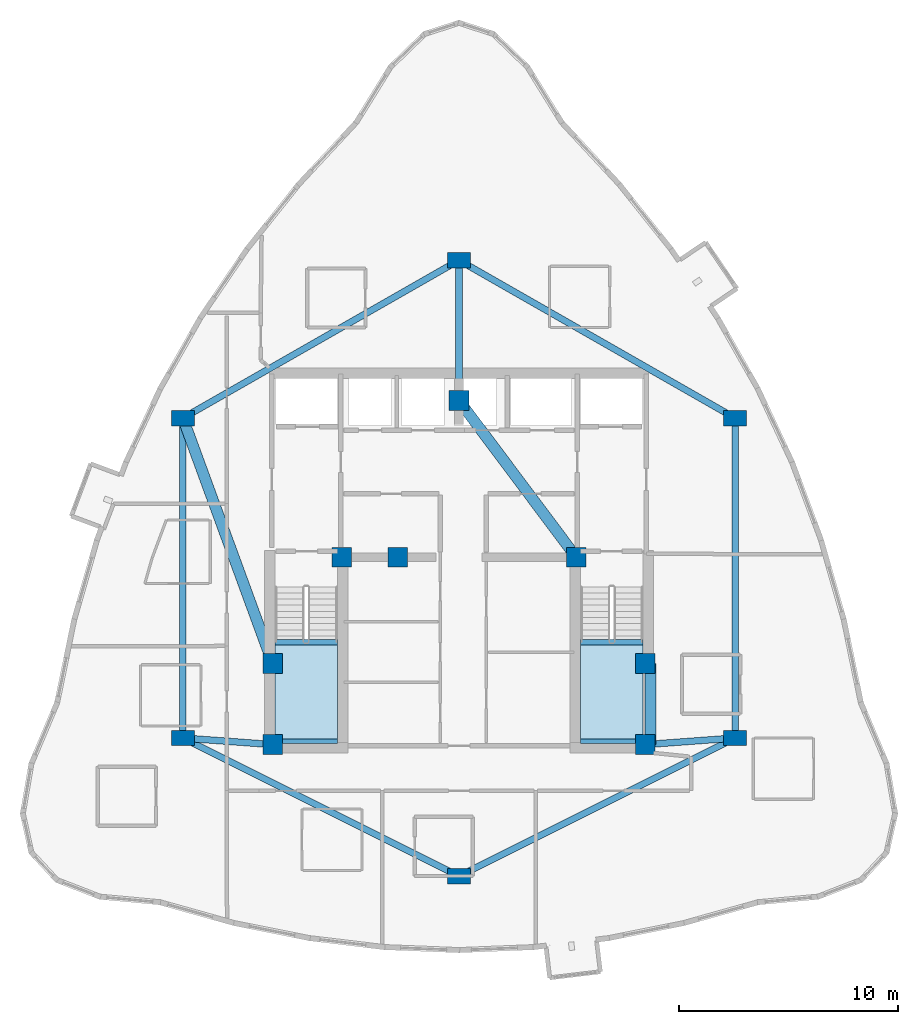
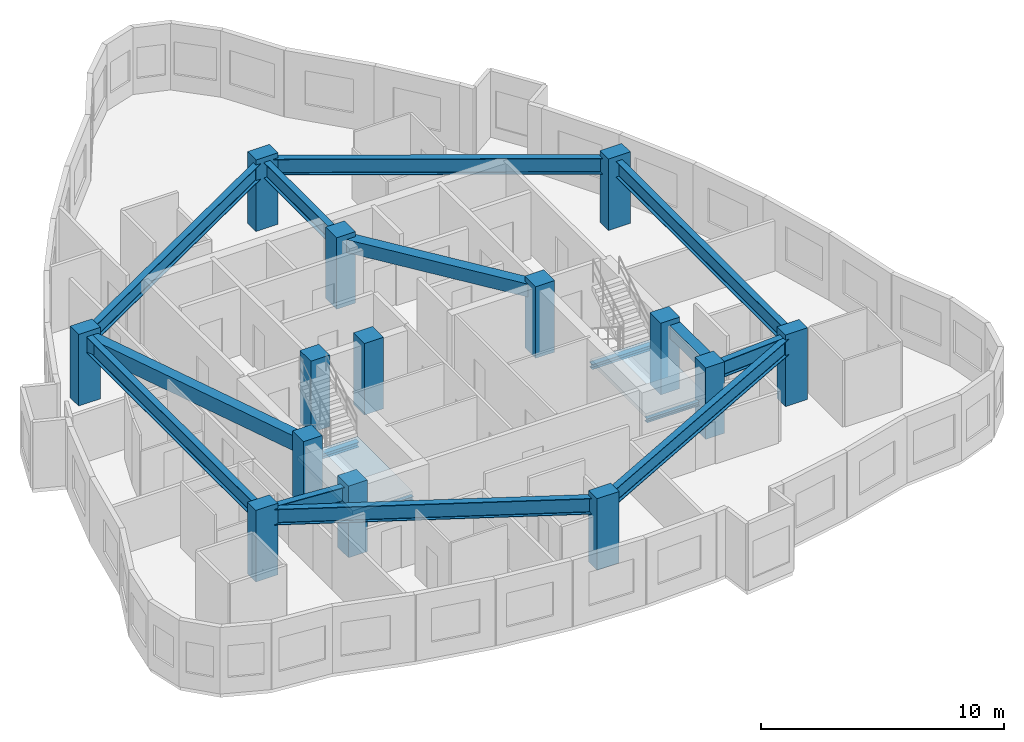
# One storey, part 1 of 9: 16 beams, 14 columns, 2 slabs, 2 elements without a shape of their own.
"""IFC4 building model written with IfcOpenShell, lengths in metres."""

import ifcopenshell
import ifcopenshell.guid

model = None  # the IFC model being written
_history = None  # IfcOwnerHistory: only IFC2X3 demands one
_inside = {}  # id of a spatial element -> (the spatial element, [elements in it])
_under = {}  # id of a project, library or spatial element -> (it, [spatial elements below it])
_declared = {}  # id of a project -> (the project, [libraries it declares])
_typed = {}  # id of a type object -> (the type object, [elements of that type])
_made_of = {}  # id of a material, layer set ... -> (it, [elements and type objects made of it])


def new_model(schema):
    """Start an empty IFC model of exactly this schema.

    Asked for "IFC4X3", IfcOpenShell would pick the latest addendum, in which some entities
    have other attributes; the version numbers below select the first issue.
    IFC2X3 requires an IfcOwnerHistory on every rooted entity: one is made here for all.
    """
    global model, _history
    if schema == "IFC4X3":
        model = ifcopenshell.file(schema_version=(4, 3, 0, 0))
    else:
        model = ifcopenshell.file(schema=schema)
    _inside.clear()
    _under.clear()
    _declared.clear()
    _typed.clear()
    _made_of.clear()
    _history = None
    if model.schema == "IFC2X3":
        org = make("IfcOrganization", Name="unknown")
        user = make(
            "IfcPersonAndOrganization",
            ThePerson=make("IfcPerson", FamilyName="unknown"),
            TheOrganization=org,
        )
        app = make(
            "IfcApplication",
            ApplicationDeveloper=org,
            Version="unknown",
            ApplicationFullName="unknown",
            ApplicationIdentifier="unknown",
        )
        _history = make(
            "IfcOwnerHistory",
            OwningUser=user,
            OwningApplication=app,
            ChangeAction="ADDED",
            CreationDate=0,
        )
    return model


def make(cls, **values):
    """One entity of the class cls with the attributes given. An attribute that is None is left unset."""
    return model.create_entity(
        cls, **{name: value for name, value in values.items() if value is not None}
    )


def rooted(cls, **values):
    """An entity with a GlobalId (a new one), such as an element, a storey or a relation."""
    return make(cls, GlobalId=ifcopenshell.guid.new(), OwnerHistory=_history, **values)


def si_unit(unit_type, name, prefix=None):
    """IfcSIUnit, for example si_unit("LENGTHUNIT", "METRE", prefix="MILLI")."""
    return make("IfcSIUnit", UnitType=unit_type, Prefix=prefix, Name=name)


def assignment(units):
    """IfcUnitAssignment: the units of a project."""
    return None if units is None else make("IfcUnitAssignment", Units=units)


def point(xyz):
    """IfcCartesianPoint."""
    return None if xyz is None else make("IfcCartesianPoint", Coordinates=xyz)


def direction(xyz):
    """IfcDirection."""
    return None if xyz is None else make("IfcDirection", DirectionRatios=xyz)


def frame(location, z_axis=None, x_axis=None):
    """IfcAxis2Placement3D, a coordinate frame: its origin and axes. An axis left out is left unset."""
    return make(
        "IfcAxis2Placement3D",
        Location=point(location),
        Axis=direction(z_axis),
        RefDirection=direction(x_axis),
    )


def frame_2d(location, x_axis=None):
    """IfcAxis2Placement2D, a coordinate frame in the plane: its origin and x axis."""
    return make(
        "IfcAxis2Placement2D", Location=point(location), RefDirection=direction(x_axis)
    )


def origin():
    """The frame at (0, 0, 0) with its axes left unset."""
    return frame((0.0, 0.0, 0.0))


def origin_2d():
    """The frame at (0, 0) in the plane with its x axis left unset."""
    return frame_2d((0.0, 0.0))


def place(relative_to, where):
    """IfcLocalPlacement: puts the frame where relative to a parent placement (None: the world)."""
    return make(
        "IfcLocalPlacement", PlacementRelTo=relative_to, RelativePlacement=where
    )


def context(
    kind, dimensions, precision=None, world=None, true_north=None, identifier=None
):
    """IfcGeometricRepresentationContext, for example the 3D "Model" context."""
    return make(
        "IfcGeometricRepresentationContext",
        ContextIdentifier=identifier,
        ContextType=kind,
        CoordinateSpaceDimension=dimensions,
        Precision=precision,
        WorldCoordinateSystem=world,
        TrueNorth=true_north,
    )


def subcontext(parent, identifier, kind, view, scale=None):
    """IfcGeometricRepresentationSubContext, for example "Body" below "Model"."""
    return make(
        "IfcGeometricRepresentationSubContext",
        ContextIdentifier=identifier,
        ContextType=kind,
        ParentContext=parent,
        TargetScale=scale,
        TargetView=view,
    )


def project(units=None, contexts=None):
    """IfcProject with its units and contexts."""
    return rooted(
        "IfcProject",
        Name="project",
        RepresentationContexts=contexts,
        UnitsInContext=assignment(units),
    )


def spatial(cls, under=None, at=None, **own):
    """A site, building, storey or space (cls), placed at a placement, below another one or the project."""
    s = rooted(cls, ObjectPlacement=at, **own)
    if under is not None:
        _under.setdefault(under.id(), (under, []))[1].append(s)
    return s


def polyline(points):
    """IfcPolyline through the points."""
    return make("IfcPolyline", Points=[point(p) for p in points])


def profile(cls, at=None, kind="AREA", **sizes):
    """A parametric profile (cls). Its sizes go by their IFC names, for example OverallWidth=200.0."""
    return make(cls, ProfileType=kind, Position=at, **sizes)


def rectangle(**sizes):
    """IfcRectangleProfileDef."""
    return profile("IfcRectangleProfileDef", **sizes)


def i_section(**sizes):
    """IfcIShapeProfileDef."""
    return profile("IfcIShapeProfileDef", **sizes)


def outline(outer, holes=None, kind="AREA"):
    """IfcArbitraryClosedProfileDef: a profile drawn as a closed curve; with holes, ...WithVoids."""
    if holes is None:
        return make("IfcArbitraryClosedProfileDef", ProfileType=kind, OuterCurve=outer)
    return make(
        "IfcArbitraryProfileDefWithVoids",
        ProfileType=kind,
        OuterCurve=outer,
        InnerCurves=holes,
    )


def extrude(swept, where, along, depth):
    """IfcExtrudedAreaSolid: the profile swept, set in the frame where, extruded along a direction by depth."""
    return make(
        "IfcExtrudedAreaSolid",
        SweptArea=swept,
        Position=where,
        ExtrudedDirection=direction(along),
        Depth=depth,
    )


def shape(context_of_items, identifier, shape_type, items):
    """IfcShapeRepresentation: the items that make up one representation, for example the "Body"."""
    return make(
        "IfcShapeRepresentation",
        ContextOfItems=context_of_items,
        RepresentationIdentifier=identifier,
        RepresentationType=shape_type,
        Items=items,
    )


def material(Name=None, Category=None):
    """IfcMaterial."""
    return make("IfcMaterial", Name=Name, Category=Category)


def layer(
    of_material, thickness, ventilated=None, Name=None, Category=None, Priority=None
):
    """IfcMaterialLayer: one layer of a wall or slab, of a material (None: an air gap)."""
    return make(
        "IfcMaterialLayer",
        Material=of_material,
        LayerThickness=thickness,
        IsVentilated=ventilated,
        Name=Name,
        Category=Category,
        Priority=Priority,
    )


def layer_set(layers, Name=None):
    """IfcMaterialLayerSet."""
    return make("IfcMaterialLayerSet", MaterialLayers=layers, LayerSetName=Name)


def material_profile(
    of_material, cross_section, Name=None, Category=None, Priority=None
):
    """IfcMaterialProfile: a cross section and its material."""
    return make(
        "IfcMaterialProfile",
        Name=Name,
        Material=of_material,
        Profile=cross_section,
        Priority=Priority,
        Category=Category,
    )


def profile_set(profiles, Name=None, composite=None):
    """IfcMaterialProfileSet."""
    return make(
        "IfcMaterialProfileSet",
        Name=Name,
        MaterialProfiles=profiles,
        CompositeProfile=composite,
    )


def made_of(thing, what):
    """Note that an element or type object is made of a material, layer set ...; save() writes the relation."""
    if what is not None:
        _made_of.setdefault(what.id(), (what, []))[1].append(thing)
    return thing


def type_object(cls, material=None, **own):
    """A type object (cls), such as IfcWallType, which elements share."""
    return made_of(rooted(cls, **own), material)


def element(
    cls,
    number,
    at=None,
    inside=None,
    cuts=None,
    type_object=None,
    material=None,
    context=None,
    identifier="Body",
    shape_type=None,
    held_by="IfcProductDefinitionShape",
    body=None,
    shapes=None,
    **own,
):
    """One element of the class cls, such as IfcWall. Its Tag is "e" and its number.

    at: its placement. inside: the storey or other place that contains it. cuts: it is an
    opening in that element (IfcRelVoidsElement). A single representation is given by context,
    identifier, shape_type and body (its items); several are given by shapes. held_by: the class
    of the entity that holds the representations. save() writes the other relations.
    """
    e = rooted(cls, Tag="e%d" % number, ObjectPlacement=at, **own)
    if body is not None:
        shapes = [shape(context, identifier, shape_type, body)]
    if shapes is not None:
        e.Representation = make(held_by, Representations=shapes)
    if inside is not None:
        _inside.setdefault(inside.id(), (inside, []))[1].append(e)
    if cuts is not None:
        rooted(
            "IfcRelVoidsElement", RelatingBuildingElement=cuts, RelatedOpeningElement=e
        )
    if type_object is not None:
        _typed.setdefault(type_object.id(), (type_object, []))[1].append(e)
    return made_of(e, material)


def aggregate(whole, parts):
    """IfcRelAggregates: a whole, such as a stair, and the parts it consists of."""
    return rooted("IfcRelAggregates", RelatingObject=whole, RelatedObjects=parts)


def save(model, path):
    """Write the relations noted so far, then the file.

    IfcRelAggregates (storeys below a building ...), IfcRelContainedInSpatialStructure (elements
    in a storey), IfcRelDefinesByType, IfcRelAssociatesMaterial and IfcRelDeclares: one each for
    every whole, place, type object, material and project.
    """
    for whole, parts in _under.values():
        aggregate(whole, parts)
    for where, things in _inside.values():
        rooted(
            "IfcRelContainedInSpatialStructure",
            RelatedElements=things,
            RelatingStructure=where,
        )
    for kind, things in _typed.values():
        rooted("IfcRelDefinesByType", RelatedObjects=things, RelatingType=kind)
    for what, things in _made_of.values():
        rooted("IfcRelAssociatesMaterial", RelatedObjects=things, RelatingMaterial=what)
    for by, libraries in _declared.values():
        rooted("IfcRelDeclares", RelatingContext=by, RelatedDefinitions=libraries)
    model.write(path)


model = new_model("IFC4")

# Units and contexts
model_context = context("Model", 3, precision=1e-05, world=origin(), true_north=direction((0.0, 1.0)))
body_context = subcontext(model_context, "Body", "Model", "MODEL_VIEW")
ifc_project = project(units=[si_unit("LENGTHUNIT", "METRE"), si_unit("AREAUNIT", "SQUARE_METRE"), si_unit("VOLUMEUNIT", "CUBIC_METRE"), si_unit("PLANEANGLEUNIT", "RADIAN"), si_unit("MASSUNIT", "GRAM", prefix="KILO")], contexts=[model_context])

# Site, building, storey
site_placement = place(None, origin())
site = spatial("IfcSite", under=ifc_project, at=site_placement, CompositionType="ELEMENT")
building_placement = place(site_placement, origin())
building = spatial("IfcBuilding", under=site, at=building_placement, Name="Miruveldt Soraemaru", CompositionType="ELEMENT")
storey_placement = place(building_placement, frame((0.0, 0.0, 244.800048828125)))
storey = spatial("IfcBuildingStorey", under=building, at=storey_placement, Name="L67", CompositionType="ELEMENT", Elevation=244.800048828125)

# Columns
ifc_material_1 = material(Name="Concrete C50/60 (50 MPa)", Category="concrete")
ifc_material_profile_1 = material_profile(ifc_material_1, rectangle(XDim=0.89990234375, YDim=0.89990234375, at=origin_2d()), Name="Concrete C50/60 (50 MPa)", Category="concrete")
ifc_profile_set_1 = profile_set([ifc_material_profile_1], Name="Concrete C50/60 (50 MPa)")
column_type_1 = type_object("IfcColumnType", Name="COL-CORE-900", PredefinedType="COLUMN", material=ifc_profile_set_1)
for number, where, z_axis, x_axis, name in (
    (1, (35.5, 35.5, 0.0), (0.0, 0.0, 1.0), (1.0, 0.0, 0.0), "L67 Structural Column CC1"),
    (2, (38.64990234375, 44.050048828125, 0.0), (0.0, 0.0, 1.0), (1.0, 0.0, 0.0), "L67 Structural Column CC2"),
    (3, (52.5, 35.5, 0.0), (0.0, 0.0, 1.0), (1.0, 0.0, 0.0), "L67 Structural Column CC3"),
    (4, (52.5, 39.199951171875, 0.0), (0.0, 0.0, 1.0), (1.0, 0.0, 0.0), "L67 Structural Column CC4"),
    (5, (49.35009765625, 44.050048828125, 0.0), (0.0, 0.0, 1.0), (1.0, 0.0, 0.0), "L67 Structural Column CC5"),
    (6, (44.0, 51.199951171875, 0.0), (0.0, 0.0, 1.0), (1.0, 0.0, 0.0), "L67 Structural Column CC6"),
    (7, (35.5, 39.199951171875, 0.0), (0.0, 0.0, 1.0), (1.0, 0.0, 0.0), "L67 Structural Column CC7"),
    (8, (41.199951171875, 44.050048828125, 0.0), (0.0, 0.0, 1.0), (1.0, 0.0, 0.0), "L67 Structural Column CC8"),
):
    element("IfcColumn", number, at=place(storey_placement, frame(where, z_axis=z_axis, x_axis=x_axis)), inside=storey, type_object=column_type_1, Name=name, PredefinedType="COLUMN", context=body_context, shape_type="SweptSolid", body=[
        extrude(rectangle(XDim=0.89990234375, YDim=0.89990234375, at=origin_2d()), origin(), (0.0, 0.0, 1.0), 3.599853515625),
    ])
ifc_material_2 = material(Name="Concrete C60/75 (60 MPa)", Category="concrete")
ifc_material_profile_2 = material_profile(ifc_material_2, rectangle(XDim=1.050048828125, YDim=0.699951171875, at=origin_2d()), Name="Concrete C60/75 (60 MPa)", Category="concrete")
ifc_profile_set_2 = profile_set([ifc_material_profile_2], Name="Concrete C60/75 (60 MPa)")
column_type_2 = type_object("IfcColumnType", Name="COL-TW-Z3", PredefinedType="COLUMN", material=ifc_profile_set_2)
for number, where, z_axis, x_axis, name in (
    (9, (44.0, 57.60009765625, 0.0), (0.0, 0.0, 1.0), (1.0, 0.0, 0.0), "L67 Structural Column IR01"),
    (10, (56.60009765625, 50.39990234375, 0.0), (0.0, 0.0, 1.0), (1.0, 0.0, 0.0), "L67 Structural Column IR02"),
    (11, (56.60009765625, 35.800048828125, 0.0), (0.0, 0.0, 1.0), (1.0, 0.0, 0.0), "L67 Structural Column IR03"),
    (12, (44.0, 29.5, 0.0), (0.0, 0.0, 1.0), (1.0, 0.0, 0.0), "L67 Structural Column IR04"),
    (13, (31.39990234375, 35.800048828125, 0.0), (0.0, 0.0, 1.0), (1.0, 0.0, 0.0), "L67 Structural Column IR05"),
    (14, (31.39990234375, 50.39990234375, 0.0), (0.0, 0.0, 1.0), (1.0, 0.0, 0.0), "L67 Structural Column IR06"),
):
    element("IfcColumn", number, at=place(storey_placement, frame(where, z_axis=z_axis, x_axis=x_axis)), inside=storey, type_object=column_type_2, Name=name, PredefinedType="COLUMN", context=body_context, shape_type="SweptSolid", body=[
        extrude(rectangle(XDim=1.050048828125, YDim=0.699951171875, at=origin_2d()), origin(), (0.0, 0.0, 1.0), 3.599853515625),
    ])

# Beams
ifc_material_profile_3 = material_profile(ifc_material_1, rectangle(XDim=0.5, YDim=0.64990234375, at=origin_2d()), Name="Concrete C50/60 (50 MPa)", Category="concrete")
ifc_profile_set_3 = profile_set([ifc_material_profile_3], Name="Concrete C50/60 (50 MPa)")
beam_type_1 = type_object("IfcBeamType", Name="BM-RC-500x650", PredefinedType="BEAM", material=ifc_profile_set_3)
beam_1_placement = place(storey_placement, frame((52.72998046875, 35.5, 3.02001953125), z_axis=(0.0, 1.0, 0.0), x_axis=(-1.0, 0.0, 0.0)))
element("IfcBeam", 15, at=beam_1_placement, inside=storey, type_object=beam_type_1, Name="L67 Core Tie Beam 3", PredefinedType="BEAM", context=body_context, shape_type="SweptSolid", body=[
    extrude(rectangle(XDim=0.5, YDim=0.64990234375, at=origin_2d()), origin(), (0.0, 0.0, 1.0), 3.699951171875),
])
beam_2_placement = place(storey_placement, frame((49.35009765625, 44.050048828125, 3.02001953125), z_axis=(-0.599116023999, 0.800662219533, 0.0), x_axis=(-0.800662219533, -0.599116023999, 0.0)))
element("IfcBeam", 16, at=beam_2_placement, inside=storey, type_object=beam_type_1, Name="L67 Core Tie Beam 5", PredefinedType="BEAM", context=body_context, shape_type="SweptSolid", body=[
    extrude(rectangle(XDim=0.5, YDim=0.64990234375, at=origin_2d()), origin(), (0.0, 0.0, 1.0), 8.929931640625),
])
ifc_material_3 = material(Name="Concrete C40/50 (40 MPa)", Category="concrete")
ifc_material_profile_4 = material_profile(ifc_material_3, rectangle(XDim=0.5, YDim=0.75, at=origin_2d()), Name="Concrete C40/50 (40 MPa)", Category="concrete")
ifc_profile_set_4 = profile_set([ifc_material_profile_4], Name="Concrete C40/50 (40 MPa)")
beam_type_2 = type_object("IfcBeamType", Name="BM-RC-500x750", PredefinedType="LINTEL", material=ifc_profile_set_4)
beam_3_placement = place(storey_placement, frame((31.39990234375, 50.39990234375, 2.969970703125), z_axis=(0.343770424598, -0.939053723262, 0.0), x_axis=(0.939053723262, 0.343770424598, 0.0)))
element("IfcBeam", 17, at=beam_3_placement, inside=storey, type_object=beam_type_2, Name="L67 West Lobby Lintel", PredefinedType="LINTEL", context=body_context, shape_type="SweptSolid", body=[
    extrude(rectangle(XDim=0.5, YDim=0.75, at=origin_2d()), origin(), (0.0, 0.0, 1.0), 11.9267578125),
])
ifc_material_4 = material(Name="Steel S460 (460 MPa)", Category="steel")
ifc_material_profile_5 = material_profile(ifc_material_4, i_section(OverallWidth=0.300048828125, OverallDepth=0.800048828125, WebThickness=0.013916015625, FlangeThickness=0.02587890625, FilletRadius=0.028076171875, at=origin_2d()), Name="Steel S460 (460 MPa)", Category="steel")
ifc_profile_set_5 = profile_set([ifc_material_profile_5], Name="Steel S460 (460 MPa)")
beam_type_3 = type_object("IfcBeamType", Name="BM-ST-H800", PredefinedType="BEAM", material=ifc_profile_set_5)
beam_4_placement = place(storey_placement, frame((44.0, 57.60009765625, 2.945068359375), z_axis=(0.868239001029, -0.496146185203, 0.0), x_axis=(0.496146185203, 0.868239001029, 0.0)))
element("IfcBeam", 18, at=beam_4_placement, inside=storey, type_object=beam_type_3, Name="L67 Inner Ring Girder 1", PredefinedType="BEAM", context=body_context, shape_type="SweptSolid", body=[
    extrude(i_section(OverallWidth=0.300048828125, OverallDepth=0.800048828125, WebThickness=0.013916015625, FlangeThickness=0.02587890625, FilletRadius=0.028076171875, at=origin_2d()), origin(), (0.0, 0.0, 1.0), 14.51220703125),
])
beam_5_placement = place(storey_placement, frame((44.0, 51.199951171875, 2.945068359375), z_axis=(0.0, 1.0, 0.0), x_axis=(-1.0, 0.0, 0.0)))
element("IfcBeam", 19, at=beam_5_placement, inside=storey, type_object=beam_type_3, Name="L67 Core-to-Inner Radial Girder 1", PredefinedType="BEAM", context=body_context, shape_type="SweptSolid", body=[
    extrude(i_section(OverallWidth=0.300048828125, OverallDepth=0.800048828125, WebThickness=0.013916015625, FlangeThickness=0.02587890625, FilletRadius=0.028076171875, at=origin_2d()), origin(), (0.0, 0.0, 1.0), 6.400146484375),
])
beam_6_placement = place(storey_placement, frame((56.60009765625, 50.39990234375, 2.945068359375), z_axis=(0.0, -1.0, 0.0), x_axis=(1.0, 0.0, 0.0)))
element("IfcBeam", 20, at=beam_6_placement, inside=storey, type_object=beam_type_3, Name="L67 Inner Ring Girder 2", PredefinedType="BEAM", context=body_context, shape_type="SweptSolid", body=[
    extrude(i_section(OverallWidth=0.300048828125, OverallDepth=0.800048828125, WebThickness=0.013916015625, FlangeThickness=0.02587890625, FilletRadius=0.028076171875, at=origin_2d()), origin(), (0.0, 0.0, 1.0), 14.599853515625),
])
beam_7_placement = place(storey_placement, frame((56.60009765625, 35.800048828125, 2.945068359375), z_axis=(-0.894427191, -0.4472135955, 0.0), x_axis=(0.4472135955, -0.894427191, 0.0)))
element("IfcBeam", 21, at=beam_7_placement, inside=storey, type_object=beam_type_3, Name="L67 Inner Ring Girder 3", PredefinedType="BEAM", context=body_context, shape_type="SweptSolid", body=[
    extrude(i_section(OverallWidth=0.300048828125, OverallDepth=0.800048828125, WebThickness=0.013916015625, FlangeThickness=0.02587890625, FilletRadius=0.028076171875, at=origin_2d()), origin(), (0.0, 0.0, 1.0), 14.08740234375),
])
beam_8_placement = place(storey_placement, frame((52.5, 35.5, 2.945068359375), z_axis=(0.997332985605, 0.072985723431, 0.0), x_axis=(-0.072985723431, 0.997332985605, 0.0)))
element("IfcBeam", 22, at=beam_8_placement, inside=storey, type_object=beam_type_3, Name="L67 Core-to-Inner Radial Girder 3", PredefinedType="BEAM", context=body_context, shape_type="SweptSolid", body=[
    extrude(i_section(OverallWidth=0.300048828125, OverallDepth=0.800048828125, WebThickness=0.013916015625, FlangeThickness=0.02587890625, FilletRadius=0.028076171875, at=origin_2d()), origin(), (0.0, 0.0, 1.0), 4.111083984375),
])
beam_9_placement = place(storey_placement, frame((44.0, 29.5, 2.945068359375), z_axis=(-0.894427191, 0.4472135955, 0.0), x_axis=(-0.4472135955, -0.894427191, 0.0)))
element("IfcBeam", 23, at=beam_9_placement, inside=storey, type_object=beam_type_3, Name="L67 Inner Ring Girder 4", PredefinedType="BEAM", context=body_context, shape_type="SweptSolid", body=[
    extrude(i_section(OverallWidth=0.300048828125, OverallDepth=0.800048828125, WebThickness=0.013916015625, FlangeThickness=0.02587890625, FilletRadius=0.028076171875, at=origin_2d()), origin(), (0.0, 0.0, 1.0), 14.08740234375),
])
beam_10_placement = place(storey_placement, frame((31.39990234375, 35.800048828125, 2.945068359375), z_axis=(0.0, 1.0, 0.0), x_axis=(-1.0, 0.0, 0.0)))
element("IfcBeam", 24, at=beam_10_placement, inside=storey, type_object=beam_type_3, Name="L67 Inner Ring Girder 5", PredefinedType="BEAM", context=body_context, shape_type="SweptSolid", body=[
    extrude(i_section(OverallWidth=0.300048828125, OverallDepth=0.800048828125, WebThickness=0.013916015625, FlangeThickness=0.02587890625, FilletRadius=0.028076171875, at=origin_2d()), origin(), (0.0, 0.0, 1.0), 14.599853515625),
])
beam_11_placement = place(storey_placement, frame((35.5, 35.5, 2.945068359375), z_axis=(-0.997332985605, 0.072985723431, 0.0), x_axis=(-0.072985723431, -0.997332985605, 0.0)))
element("IfcBeam", 25, at=beam_11_placement, inside=storey, type_object=beam_type_3, Name="L67 Core-to-Inner Radial Girder 5", PredefinedType="BEAM", context=body_context, shape_type="SweptSolid", body=[
    extrude(i_section(OverallWidth=0.300048828125, OverallDepth=0.800048828125, WebThickness=0.013916015625, FlangeThickness=0.02587890625, FilletRadius=0.028076171875, at=origin_2d()), origin(), (0.0, 0.0, 1.0), 4.111083984375),
])
beam_12_placement = place(storey_placement, frame((31.39990234375, 50.39990234375, 2.945068359375), z_axis=(0.868239001029, 0.496146185203, 0.0), x_axis=(-0.496146185203, 0.868239001029, 0.0)))
element("IfcBeam", 26, at=beam_12_placement, inside=storey, type_object=beam_type_3, Name="L67 Inner Ring Girder 6", PredefinedType="BEAM", context=body_context, shape_type="SweptSolid", body=[
    extrude(i_section(OverallWidth=0.300048828125, OverallDepth=0.800048828125, WebThickness=0.013916015625, FlangeThickness=0.02587890625, FilletRadius=0.028076171875, at=origin_2d()), origin(), (0.0, 0.0, 1.0), 14.51220703125),
])
ifc_material_5 = material(Name="Steel SM355 (355 MPa)", Category="steel")
ifc_material_profile_6 = material_profile(ifc_material_5, i_section(OverallWidth=0.199951171875, OverallDepth=0.199951171875, WebThickness=0.008056640625, FlangeThickness=0.011962890625, FilletRadius=0.012939453125, at=origin_2d()), Name="Steel SM355 (355 MPa)", Category="steel")
ifc_profile_set_6 = profile_set([ifc_material_profile_6], Name="Steel SM355 (355 MPa)")
beam_type_4 = type_object("IfcBeamType", Name="BM-ST-LND200", PredefinedType="BEAM", material=ifc_profile_set_6)
for number, where, z_axis, x_axis, name in (
    (27, (35.60009765625, 35.64990234375, 1.5), (1.0, 0.0, 0.0), (0.0, 1.0, 0.0), "L67 ST1 Landing End Beam 1B"),
    (28, (49.550048828125, 35.64990234375, 1.5), (1.0, 0.0, 0.0), (0.0, 1.0, 0.0), "L67 ST2 Landing End Beam 1B"),
):
    element("IfcBeam", number, at=place(storey_placement, frame(where, z_axis=z_axis, x_axis=x_axis)), inside=storey, type_object=beam_type_4, Name=name, PredefinedType="BEAM", context=body_context, shape_type="SweptSolid", body=[
        extrude(i_section(OverallWidth=0.199951171875, OverallDepth=0.199951171875, WebThickness=0.008056640625, FlangeThickness=0.011962890625, FilletRadius=0.012939453125, at=origin_2d()), origin(), (0.0, 0.0, 1.0), 2.849853515625),
    ])
ifc_material_profile_7 = material_profile(ifc_material_5, i_section(OverallWidth=0.25, OverallDepth=0.25, WebThickness=0.009033203125, FlangeThickness=0.013916015625, FilletRadius=0.01611328125, at=origin_2d()), Name="Steel SM355 (355 MPa)", Category="steel")
ifc_profile_set_7 = profile_set([ifc_material_profile_7], Name="Steel SM355 (355 MPa)")
beam_type_5 = type_object("IfcBeamType", Name="BM-ST-LND250", PredefinedType="BEAM", material=ifc_profile_set_7)
for number, where, z_axis, x_axis, name in (
    (29, (35.60009765625, 40.179931640625, 1.474853515625), (1.0, 0.0, 0.0), (0.0, 1.0, 0.0), "L67 ST1 Landing Support Beam 1A"),
    (30, (49.550048828125, 40.179931640625, 1.474853515625), (1.0, 0.0, 0.0), (0.0, 1.0, 0.0), "L67 ST2 Landing Support Beam 1A"),
):
    element("IfcBeam", number, at=place(storey_placement, frame(where, z_axis=z_axis, x_axis=x_axis)), inside=storey, type_object=beam_type_5, Name=name, PredefinedType="BEAM", context=body_context, shape_type="SweptSolid", body=[
        extrude(i_section(OverallWidth=0.25, OverallDepth=0.25, WebThickness=0.009033203125, FlangeThickness=0.013916015625, FilletRadius=0.01611328125, at=origin_2d()), origin(), (0.0, 0.0, 1.0), 2.849853515625),
    ])

# Stair, slab
stair_type = type_object("IfcStairType", Name="STAIR-DL-360", PredefinedType="HALF_TURN_STAIR", material=ifc_material_3)
stair_1_placement = place(storey_placement, origin())
stair_1 = element("IfcStair", 31, at=stair_1_placement, inside=storey, type_object=stair_type, Name="L67 Protected Exit Stair ST-1", PredefinedType="HALF_TURN_STAIR")
ifc_layer = layer(ifc_material_3, 0.199951171875, Name="Concrete C40/50 (40 MPa)", Category="concrete")
ifc_layer_set = layer_set([ifc_layer], Name="Concrete C40/50 (40 MPa)")
slab_type = type_object("IfcSlabType", Name="SLAB-LAND-200", PredefinedType="LANDING", material=ifc_layer_set)
slab_1_placement = place(storey_placement, frame((0.0, 0.0, 1.599853515625)))
slab_1 = element("IfcSlab", 32, at=slab_1_placement, type_object=slab_type, Name="ST-1 landing 1", PredefinedType="LANDING", context=body_context, shape_type="SweptSolid", body=[
    extrude(outline(polyline([(35.60009765625, 40.197998046875), (35.60009765625, 35.64990234375), (38.449951171875, 35.64990234375), (38.449951171875, 40.197998046875), (35.60009765625, 40.197998046875)])), origin(), (0.0, 0.0, 1.0), 0.2001953125),
])
aggregate(stair_1, [slab_1])

stair_2_placement = place(storey_placement, origin())
stair_2 = element("IfcStair", 33, at=stair_2_placement, inside=storey, type_object=stair_type, Name="L67 Protected Exit Stair ST-2", PredefinedType="HALF_TURN_STAIR")
slab_2_placement = place(storey_placement, frame((0.0, 0.0, 1.599853515625)))
slab_2 = element("IfcSlab", 34, at=slab_2_placement, type_object=slab_type, Name="ST-2 landing 1", PredefinedType="LANDING", context=body_context, shape_type="SweptSolid", body=[
    extrude(outline(polyline([(49.550048828125, 40.197998046875), (49.550048828125, 35.64990234375), (52.39990234375, 35.64990234375), (52.39990234375, 40.197998046875), (49.550048828125, 40.197998046875)])), origin(), (0.0, 0.0, 1.0), 0.2001953125),
])
aggregate(stair_2, [slab_2])

save(model, "model.ifc")
